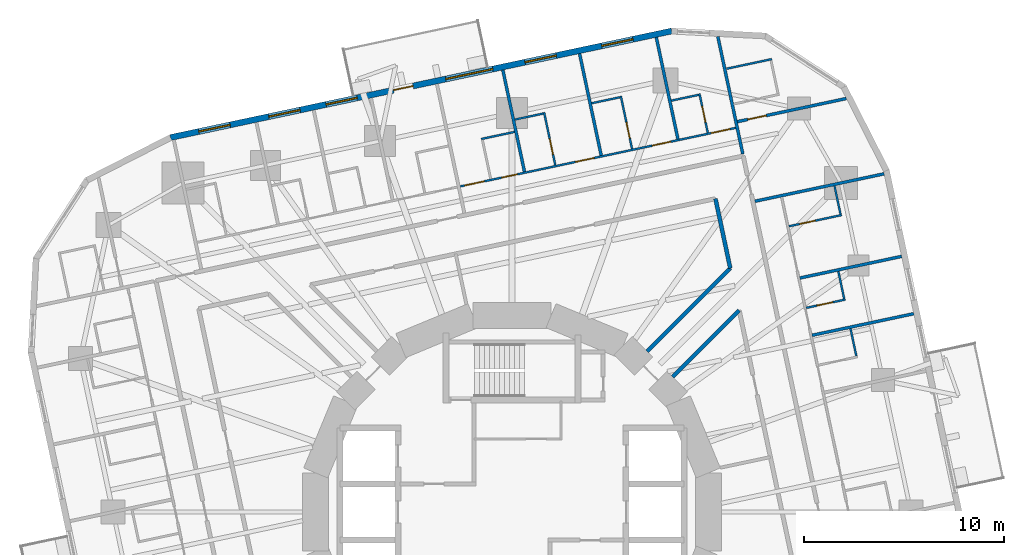
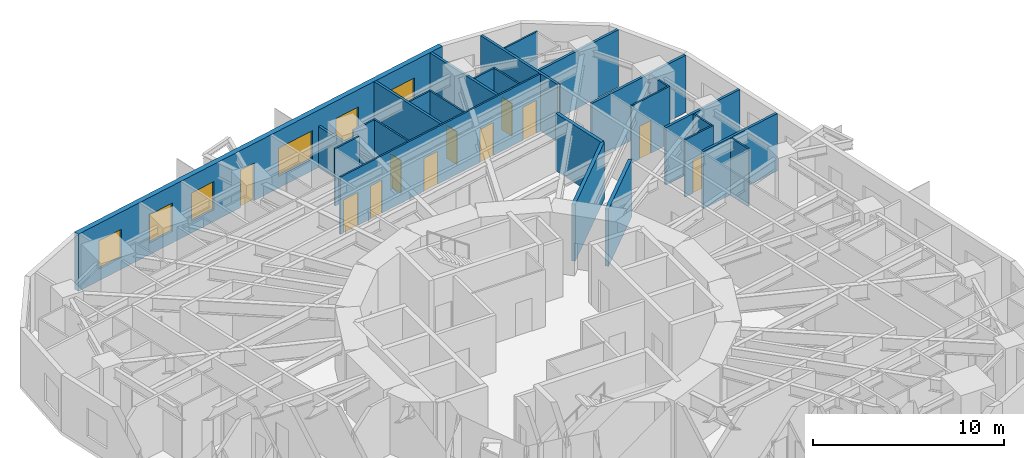
# One storey, part 11 of 14: 26 walls, 12 doors, 6 windows, 18 openings.
"""IFC4 building model written with IfcOpenShell, lengths in metres."""

from ifc_helpers import new_model, si_unit, direction, frame, frame_2d, origin, place, context, subcontext, project, spatial, rectangle, extrude, material, layer, layer_set, type_object, element, fill, save


model = new_model("IFC4")

# Units and contexts
model_context = context("Model", 3, precision=1e-05, world=origin(), true_north=direction((0.0, 1.0)))
body_context = subcontext(model_context, "Body", "Model", "MODEL_VIEW")
ifc_project = project(units=[si_unit("LENGTHUNIT", "METRE"), si_unit("AREAUNIT", "SQUARE_METRE"), si_unit("VOLUMEUNIT", "CUBIC_METRE"), si_unit("PLANEANGLEUNIT", "RADIAN"), si_unit("MASSUNIT", "GRAM", prefix="KILO")], contexts=[model_context])

# Site, building, storey
site_placement = place(None, origin())
site = spatial("IfcSite", under=ifc_project, at=site_placement, CompositionType="ELEMENT")
building_placement = place(site_placement, origin())
building = spatial("IfcBuilding", under=site, at=building_placement, Name="Nakasero Lantern House", CompositionType="ELEMENT")
storey_placement = place(building_placement, frame((0.0, 0.0, 112.699951171875)))
storey = spatial("IfcBuildingStorey", under=building, at=storey_placement, Name="L27", CompositionType="ELEMENT", Elevation=112.699951171875)

# Wall, openings, doors
ifc_material_1 = material(Name="Blockwork", Category="masonry")
ifc_layer_1 = layer(ifc_material_1, 0.10009765625)
ifc_layer_set_1 = layer_set([ifc_layer_1], Name="Cluster hall wall 100")
wall_type_1 = type_object("IfcWallType", Name="Cluster hall wall 100", PredefinedType="PARTITIONING", material=ifc_layer_set_1)
wall_1_placement = place(storey_placement, frame((11.1787109375, 19.193603515625, 0.0), z_axis=(0.0, 0.0, 1.0), x_axis=(-0.978149106543, -0.207904606415, 0.0)))
wall_1 = element("IfcWall", 1, at=wall_1_placement, inside=storey, type_object=wall_type_1, Name="Cluster hall wall L27 HW1-0", PredefinedType="PARTITIONING", context=body_context, shape_type="SweptSolid", body=[
    extrude(rectangle(XDim=14.073974609375, YDim=0.10009765625, at=frame_2d((7.037109375, 0.0))), origin(), (0.0, 0.0, 1.0), 3.650146484375),
])
opening_1_placement = place(wall_1_placement, frame((12.848876953125, 0.0, 0.0)))
opening_1 = element("IfcOpeningElement", 2, at=opening_1_placement, cuts=wall_1, Name="Opening D03", PredefinedType="OPENING", context=body_context, shape_type="SweptSolid", body=[
    extrude(rectangle(XDim=1.0, YDim=2.10009765625, at=frame_2d((0.5, 1.050048828125))), frame((0.0, 0.070068359375, 0.0), z_axis=(0.0, -1.0, 0.0), x_axis=(1.0, 0.0, 0.0)), (0.0, 0.0, 1.0), 0.14013671875),
])
opening_2_placement = place(wall_1_placement, frame((11.155029296875, 0.0, 0.0)))
opening_2 = element("IfcOpeningElement", 3, at=opening_2_placement, cuts=wall_1, Name="Opening D02", PredefinedType="OPENING", context=body_context, shape_type="SweptSolid", body=[
    extrude(rectangle(XDim=0.800048828125, YDim=2.10009765625, at=frame_2d((0.39990234375, 1.050048828125))), frame((0.0, 0.070068359375, 0.0), z_axis=(0.0, -1.0, 0.0), x_axis=(1.0, 0.0, 0.0)), (0.0, 0.0, 1.0), 0.14013671875),
])
opening_3_placement = place(wall_1_placement, frame((0.300048828125, 0.0, 0.0)))
opening_3 = element("IfcOpeningElement", 4, at=opening_3_placement, cuts=wall_1, Name="Opening D01", PredefinedType="OPENING", context=body_context, shape_type="SweptSolid", body=[
    extrude(rectangle(XDim=0.949951171875, YDim=2.10009765625, at=frame_2d((0.47509765625, 1.050048828125))), frame((0.0, 0.070068359375, 0.0), z_axis=(0.0, -1.0, 0.0), x_axis=(1.0, 0.0, 0.0)), (0.0, 0.0, 1.0), 0.14013671875),
])
opening_4_placement = place(wall_1_placement, frame((3.316162109375, 0.0, 0.0)))
opening_4 = element("IfcOpeningElement", 5, at=opening_4_placement, cuts=wall_1, Name="Opening D01", PredefinedType="OPENING", context=body_context, shape_type="SweptSolid", body=[
    extrude(rectangle(XDim=0.949951171875, YDim=2.10009765625, at=frame_2d((0.47509765625, 1.050048828125))), frame((0.0, 0.070068359375, 0.0), z_axis=(0.0, -1.0, 0.0), x_axis=(1.0, 0.0, 0.0)), (0.0, 0.0, 1.0), 0.14013671875),
])
opening_5_placement = place(wall_1_placement, frame((7.235595703125, 0.0, 0.0)))
opening_5 = element("IfcOpeningElement", 6, at=opening_5_placement, cuts=wall_1, Name="Opening D01", PredefinedType="OPENING", context=body_context, shape_type="SweptSolid", body=[
    extrude(rectangle(XDim=0.949951171875, YDim=2.10009765625, at=frame_2d((0.47509765625, 1.050048828125))), frame((0.0, 0.070068359375, 0.0), z_axis=(0.0, -1.0, 0.0), x_axis=(1.0, 0.0, 0.0)), (0.0, 0.0, 1.0), 0.14013671875),
])
ifc_material_2 = material(Name="Timber C24", Category="wood")
door_type_1 = type_object("IfcDoorType", Name="Bedroom door FD30S 950", OperationType="SINGLE_SWING_LEFT", PredefinedType="DOOR", material=ifc_material_2)
door_1_placement = place(opening_3_placement, origin())
door_1 = element("IfcDoor", 7, at=door_1_placement, inside=storey, type_object=door_type_1, Name="Door L27 D1-00", OperationType="SINGLE_SWING_LEFT", OverallHeight=2.10009765625, OverallWidth=0.949951171875, PredefinedType="DOOR", context=body_context, shape_type="SweptSolid", body=[
    extrude(rectangle(XDim=0.949951171875, YDim=2.10009765625, at=frame_2d((0.47509765625, 1.050048828125))), frame((0.0, 0.02490234375, 0.0), z_axis=(0.0, -1.0, 0.0), x_axis=(1.0, 0.0, 0.0)), (0.0, 0.0, 1.0), 0.050048828125),
])
fill(opening_3, door_1)
door_2_placement = place(opening_4_placement, origin())
door_2 = element("IfcDoor", 8, at=door_2_placement, inside=storey, type_object=door_type_1, Name="Door L27 D1-01", OperationType="SINGLE_SWING_LEFT", OverallHeight=2.10009765625, OverallWidth=0.949951171875, PredefinedType="DOOR", context=body_context, shape_type="SweptSolid", body=[
    extrude(rectangle(XDim=0.949951171875, YDim=2.10009765625, at=frame_2d((0.47509765625, 1.050048828125))), frame((0.0, 0.02490234375, 0.0), z_axis=(0.0, -1.0, 0.0), x_axis=(1.0, 0.0, 0.0)), (0.0, 0.0, 1.0), 0.050048828125),
])
fill(opening_4, door_2)
door_3_placement = place(opening_5_placement, origin())
door_3 = element("IfcDoor", 9, at=door_3_placement, inside=storey, type_object=door_type_1, Name="Door L27 D1-02", OperationType="SINGLE_SWING_RIGHT", OverallHeight=2.10009765625, OverallWidth=0.949951171875, PredefinedType="DOOR", context=body_context, shape_type="SweptSolid", body=[
    extrude(rectangle(XDim=0.949951171875, YDim=2.10009765625, at=frame_2d((0.47509765625, 1.050048828125))), frame((0.0, 0.02490234375, 0.0), z_axis=(0.0, -1.0, 0.0), x_axis=(1.0, 0.0, 0.0)), (0.0, 0.0, 1.0), 0.050048828125),
])
fill(opening_5, door_3)
ifc_material_3 = material(Name="Timber C24", Category="wood")
door_type_2 = type_object("IfcDoorType", Name="En-suite door 800", OperationType="SINGLE_SWING_RIGHT", PredefinedType="DOOR", material=ifc_material_3)
door_4_placement = place(opening_2_placement, origin())
door_4 = element("IfcDoor", 10, at=door_4_placement, inside=storey, type_object=door_type_2, Name="Door L27 DSH1-0", OperationType="SINGLE_SWING_RIGHT", OverallHeight=2.10009765625, OverallWidth=0.800048828125, PredefinedType="DOOR", context=body_context, shape_type="SweptSolid", body=[
    extrude(rectangle(XDim=0.800048828125, YDim=2.10009765625, at=frame_2d((0.39990234375, 1.050048828125))), frame((0.0, 0.02490234375, 0.0), z_axis=(0.0, -1.0, 0.0), x_axis=(1.0, 0.0, 0.0)), (0.0, 0.0, 1.0), 0.050048828125),
])
fill(opening_2, door_4)
ifc_material_4 = material(Name="Timber C24", Category="wood")
door_type_3 = type_object("IfcDoorType", Name="Lounge door FD30S 1000", OperationType="SINGLE_SWING_LEFT", PredefinedType="DOOR", material=ifc_material_4)
door_5_placement = place(opening_1_placement, origin())
door_5 = element("IfcDoor", 11, at=door_5_placement, inside=storey, type_object=door_type_3, Name="Door L27 DH1-0", OperationType="SINGLE_SWING_RIGHT", OverallHeight=2.10009765625, OverallWidth=1.0, PredefinedType="DOOR", context=body_context, shape_type="SweptSolid", body=[
    extrude(rectangle(XDim=1.0, YDim=2.10009765625, at=frame_2d((0.5, 1.050048828125))), frame((0.0, 0.02490234375, 0.0), z_axis=(0.0, -1.0, 0.0), x_axis=(1.0, 0.0, 0.0)), (0.0, 0.0, 1.0), 0.050048828125),
])
fill(opening_1, door_5)

# Walls
ifc_material_5 = material(Name="Blockwork", Category="masonry")
ifc_layer_2 = layer(ifc_material_5, 0.199951171875)
ifc_layer_set_2 = layer_set([ifc_layer_2], Name="Corridor wall 200")
wall_type_2 = type_object("IfcWallType", Name="Corridor wall 200", PredefinedType="PARTITIONING", material=ifc_layer_set_2)
wall_2_placement = place(storey_placement, frame((10.90625, 12.178955078125, 0.0), z_axis=(0.0, 0.0, 1.0), x_axis=(-0.207962251708, 0.978136852319, 0.0)))
element("IfcWall", 12, at=wall_2_placement, inside=storey, type_object=wall_type_2, Name="Corridor wall L27 IW0-1", PredefinedType="PARTITIONING", context=body_context, shape_type="SweptSolid", body=[
    extrude(rectangle(XDim=3.5546875, YDim=0.199951171875, at=frame_2d((1.77734375, 0.0))), origin(), (0.0, 0.0, 1.0), 3.650146484375),
])
wall_3_placement = place(storey_placement, frame((6.758544921875, 8.03125, 0.0), z_axis=(0.0, 0.0, 1.0), x_axis=(0.707106781187, 0.707106781187, 0.0)))
element("IfcWall", 13, at=wall_3_placement, inside=storey, type_object=wall_type_2, Name="Corridor wall L27 PS02a", PredefinedType="PARTITIONING", context=body_context, shape_type="SweptSolid", body=[
    extrude(rectangle(XDim=5.86572265625, YDim=0.199951171875, at=frame_2d((2.932861328125, 0.0))), origin(), (0.0, 0.0, 1.0), 3.650146484375),
])
wall_4_placement = place(storey_placement, frame((8.03125, 6.758544921875, 0.0), z_axis=(0.0, 0.0, 1.0), x_axis=(0.707106781187, 0.707106781187, 0.0)))
element("IfcWall", 14, at=wall_4_placement, inside=storey, type_object=wall_type_2, Name="Corridor wall L27 PS02b", PredefinedType="PARTITIONING", context=body_context, shape_type="SweptSolid", body=[
    extrude(rectangle(XDim=4.69677734375, YDim=0.199951171875, at=frame_2d((2.348388671875, 0.0))), origin(), (0.0, 0.0, 1.0), 3.650146484375),
])
ifc_material_6 = material(Name="Blockwork", Category="masonry")
ifc_layer_3 = layer(ifc_material_6, 0.10009765625)
ifc_layer_set_3 = layer_set([ifc_layer_3], Name="En-suite wall 100")
wall_type_3 = type_object("IfcWallType", Name="En-suite wall 100", PredefinedType="PARTITIONING", material=ifc_layer_set_3)
wall_5_placement = place(storey_placement, frame((17.2060546875, 7.79150390625, 0.0), z_axis=(0.0, 0.0, 1.0), x_axis=(-0.207873355681, 0.978155748334, 0.0)))
element("IfcWall", 15, at=wall_5_placement, inside=storey, type_object=wall_type_3, Name="En-suite wall L27 EE0-05", PredefinedType="PARTITIONING", context=body_context, shape_type="SweptSolid", body=[
    extrude(rectangle(XDim=1.39990234375, YDim=0.10009765625, at=frame_2d((0.699951171875, 0.0))), origin(), (0.0, 0.0, 1.0), 3.650146484375),
])

# Wall, opening, door
wall_6_placement = place(storey_placement, frame((14.70068359375, 10.19970703125, 0.0), z_axis=(0.0, 0.0, 1.0), x_axis=(0.978152955943, 0.207886494942, 0.0)))
wall_6 = element("IfcWall", 16, at=wall_6_placement, inside=storey, type_object=wall_type_3, Name="En-suite wall L27 ES0-06", PredefinedType="PARTITIONING", context=body_context, shape_type="SweptSolid", body=[
    extrude(rectangle(XDim=2.0, YDim=0.10009765625, at=frame_2d((1.0, 0.0))), origin(), (0.0, 0.0, 1.0), 3.650146484375),
])
opening_6_placement = place(wall_6_placement, frame((0.550048828125, 0.0, 0.0)))
opening_6 = element("IfcOpeningElement", 17, at=opening_6_placement, cuts=wall_6, Name="Opening D02", PredefinedType="OPENING", context=body_context, shape_type="SweptSolid", body=[
    extrude(rectangle(XDim=0.800048828125, YDim=2.10009765625, at=frame_2d((0.39990234375, 1.050048828125))), frame((0.0, 0.070068359375, 0.0), z_axis=(0.0, -1.0, 0.0), x_axis=(1.0, 0.0, 0.0)), (0.0, 0.0, 1.0), 0.14013671875),
])
door_6_placement = place(opening_6_placement, origin())
door_6 = element("IfcDoor", 18, at=door_6_placement, inside=storey, type_object=door_type_2, Name="Door L27 DE0-06", OperationType="SINGLE_SWING_LEFT", OverallHeight=2.10009765625, OverallWidth=0.800048828125, PredefinedType="DOOR", context=body_context, shape_type="SweptSolid", body=[
    extrude(rectangle(XDim=0.800048828125, YDim=2.10009765625, at=frame_2d((0.39990234375, 1.050048828125))), frame((0.0, 0.02490234375, 0.0), z_axis=(0.0, -1.0, 0.0), x_axis=(1.0, 0.0, 0.0)), (0.0, 0.0, 1.0), 0.050048828125),
])
fill(opening_6, door_6)

# Wall
wall_7_placement = place(storey_placement, frame((16.59765625, 10.654052734375, 0.0), z_axis=(0.0, 0.0, 1.0), x_axis=(-0.207873355681, 0.978155748334, 0.0)))
element("IfcWall", 19, at=wall_7_placement, inside=storey, type_object=wall_type_3, Name="En-suite wall L27 EE0-06", PredefinedType="PARTITIONING", context=body_context, shape_type="SweptSolid", body=[
    extrude(rectangle(XDim=1.39990234375, YDim=0.10009765625, at=frame_2d((0.699951171875, 0.0))), origin(), (0.0, 0.0, 1.0), 3.650146484375),
])

# Wall, opening, door
wall_8_placement = place(storey_placement, frame((13.833984375, 14.276611328125, 0.0), z_axis=(0.0, 0.0, 1.0), x_axis=(0.978137244908, 0.207960405185, 0.0)))
wall_8 = element("IfcWall", 20, at=wall_8_placement, inside=storey, type_object=wall_type_3, Name="En-suite wall L27 ES0-07", PredefinedType="PARTITIONING", context=body_context, shape_type="SweptSolid", body=[
    extrude(rectangle(XDim=2.7001953125, YDim=0.10009765625, at=frame_2d((1.35009765625, 0.0))), origin(), (0.0, 0.0, 1.0), 3.650146484375),
])
opening_7_placement = place(wall_8_placement, frame((0.550048828125, 0.0, 0.0)))
opening_7 = element("IfcOpeningElement", 21, at=opening_7_placement, cuts=wall_8, Name="Opening D02", PredefinedType="OPENING", context=body_context, shape_type="SweptSolid", body=[
    extrude(rectangle(XDim=0.800048828125, YDim=2.10009765625, at=frame_2d((0.39990234375, 1.050048828125))), frame((0.0, 0.070068359375, 0.0), z_axis=(0.0, -1.0, 0.0), x_axis=(1.0, 0.0, 0.0)), (0.0, 0.0, 1.0), 0.14013671875),
])
door_7_placement = place(opening_7_placement, origin())
door_7 = element("IfcDoor", 22, at=door_7_placement, inside=storey, type_object=door_type_2, Name="Door L27 DE0-07", OperationType="SINGLE_SWING_LEFT", OverallHeight=2.10009765625, OverallWidth=0.800048828125, PredefinedType="DOOR", context=body_context, shape_type="SweptSolid", body=[
    extrude(rectangle(XDim=0.800048828125, YDim=2.10009765625, at=frame_2d((0.39990234375, 1.050048828125))), frame((0.0, 0.02490234375, 0.0), z_axis=(0.0, -1.0, 0.0), x_axis=(1.0, 0.0, 0.0)), (0.0, 0.0, 1.0), 0.050048828125),
])
fill(opening_7, door_7)

# Walls
wall_9_placement = place(storey_placement, frame((16.415771484375, 14.87646484375, 0.0), z_axis=(0.0, 0.0, 1.0), x_axis=(-0.207919161079, 0.978146012851, 0.0)))
element("IfcWall", 23, at=wall_9_placement, inside=storey, type_object=wall_type_3, Name="En-suite wall L27 EE0-07", PredefinedType="PARTITIONING", context=body_context, shape_type="SweptSolid", body=[
    extrude(rectangle(XDim=1.4501953125, YDim=0.10009765625, at=frame_2d((0.72509765625, 0.0))), origin(), (0.0, 0.0, 1.0), 3.650146484375),
])
wall_10_placement = place(storey_placement, frame((10.72900390625, 22.150634765625, 0.0), z_axis=(0.0, 0.0, 1.0), x_axis=(0.978162897375, 0.207839712757, 0.0)))
element("IfcWall", 24, at=wall_10_placement, inside=storey, type_object=wall_type_3, Name="En-suite wall L27 EV0-08", PredefinedType="PARTITIONING", context=body_context, shape_type="SweptSolid", body=[
    extrude(rectangle(XDim=2.300048828125, YDim=0.10009765625, at=frame_2d((1.14990234375, 0.0))), origin(), (0.0, 0.0, 1.0), 3.650146484375),
])
wall_11_placement = place(storey_placement, frame((0.124267578125, 18.99072265625, 0.0), z_axis=(0.0, 0.0, 1.0), x_axis=(-0.978168704767, -0.207812379357, 0.0)))
element("IfcWall", 25, at=wall_11_placement, inside=storey, type_object=wall_type_3, Name="En-suite wall L27 SE1-0", PredefinedType="PARTITIONING", context=body_context, shape_type="SweptSolid", body=[
    extrude(rectangle(XDim=1.699951171875, YDim=0.10009765625, at=frame_2d((0.85009765625, 0.0))), origin(), (0.0, 0.0, 1.0), 3.650146484375),
])

# Wall, opening, door
wall_12_placement = place(storey_placement, frame((9.783203125, 18.947998046875, 0.0), z_axis=(0.0, 0.0, 1.0), x_axis=(-0.208003285743, 0.978128127149, 0.0)))
wall_12 = element("IfcWall", 26, at=wall_12_placement, inside=storey, type_object=wall_type_3, Name="En-suite wall L27 ES1-00", PredefinedType="PARTITIONING", context=body_context, shape_type="SweptSolid", body=[
    extrude(rectangle(XDim=2.0, YDim=0.10009765625, at=frame_2d((1.0, 0.0))), origin(), (0.0, 0.0, 1.0), 3.650146484375),
])
opening_8_placement = place(wall_12_placement, frame((0.550048828125, 0.0, 0.0)))
opening_8 = element("IfcOpeningElement", 27, at=opening_8_placement, cuts=wall_12, Name="Opening D02", PredefinedType="OPENING", context=body_context, shape_type="SweptSolid", body=[
    extrude(rectangle(XDim=0.800048828125, YDim=2.10009765625, at=frame_2d((0.39990234375, 1.050048828125))), frame((0.0, 0.070068359375, 0.0), z_axis=(0.0, -1.0, 0.0), x_axis=(1.0, 0.0, 0.0)), (0.0, 0.0, 1.0), 0.14013671875),
])
door_8_placement = place(opening_8_placement, origin())
door_8 = element("IfcDoor", 28, at=door_8_placement, inside=storey, type_object=door_type_2, Name="Door L27 DE1-00", OperationType="SINGLE_SWING_LEFT", OverallHeight=2.10009765625, OverallWidth=0.800048828125, PredefinedType="DOOR", context=body_context, shape_type="SweptSolid", body=[
    extrude(rectangle(XDim=0.800048828125, YDim=2.10009765625, at=frame_2d((0.39990234375, 1.050048828125))), frame((0.0, 0.02490234375, 0.0), z_axis=(0.0, -1.0, 0.0), x_axis=(1.0, 0.0, 0.0)), (0.0, 0.0, 1.0), 0.050048828125),
])
fill(opening_8, door_8)

# Wall
wall_13_placement = place(storey_placement, frame((9.328857421875, 20.844970703125, 0.0), z_axis=(0.0, 0.0, 1.0), x_axis=(-0.978155748334, -0.207873355681, 0.0)))
element("IfcWall", 29, at=wall_13_placement, inside=storey, type_object=wall_type_3, Name="En-suite wall L27 EE1-00", PredefinedType="PARTITIONING", context=body_context, shape_type="SweptSolid", body=[
    extrude(rectangle(XDim=1.39990234375, YDim=0.10009765625, at=frame_2d((0.699951171875, 0.0))), origin(), (0.0, 0.0, 1.0), 3.650146484375),
])

# Wall, opening, door
wall_14_placement = place(storey_placement, frame((5.998291015625, 18.1435546875, 0.0), z_axis=(0.0, 0.0, 1.0), x_axis=(-0.207960405185, 0.978137244908, 0.0)))
wall_14 = element("IfcWall", 30, at=wall_14_placement, inside=storey, type_object=wall_type_3, Name="En-suite wall L27 ES1-01", PredefinedType="PARTITIONING", context=body_context, shape_type="SweptSolid", body=[
    extrude(rectangle(XDim=2.7001953125, YDim=0.10009765625, at=frame_2d((1.35009765625, 0.0))), origin(), (0.0, 0.0, 1.0), 3.650146484375),
])
opening_9_placement = place(wall_14_placement, frame((0.550048828125, 0.0, 0.0)))
opening_9 = element("IfcOpeningElement", 31, at=opening_9_placement, cuts=wall_14, Name="Opening D02", PredefinedType="OPENING", context=body_context, shape_type="SweptSolid", body=[
    extrude(rectangle(XDim=0.800048828125, YDim=2.10009765625, at=frame_2d((0.39990234375, 1.050048828125))), frame((0.0, 0.070068359375, 0.0), z_axis=(0.0, -1.0, 0.0), x_axis=(1.0, 0.0, 0.0)), (0.0, 0.0, 1.0), 0.14013671875),
])
door_9_placement = place(opening_9_placement, origin())
door_9 = element("IfcDoor", 32, at=door_9_placement, inside=storey, type_object=door_type_2, Name="Door L27 DE1-01", OperationType="SINGLE_SWING_LEFT", OverallHeight=2.10009765625, OverallWidth=0.800048828125, PredefinedType="DOOR", context=body_context, shape_type="SweptSolid", body=[
    extrude(rectangle(XDim=0.800048828125, YDim=2.10009765625, at=frame_2d((0.39990234375, 1.050048828125))), frame((0.0, 0.02490234375, 0.0), z_axis=(0.0, -1.0, 0.0), x_axis=(1.0, 0.0, 0.0)), (0.0, 0.0, 1.0), 0.050048828125),
])
fill(opening_9, door_9)

# Wall
wall_15_placement = place(storey_placement, frame((5.398193359375, 20.725341796875, 0.0), z_axis=(0.0, 0.0, 1.0), x_axis=(-0.978138732977, -0.207953405961, 0.0)))
element("IfcWall", 33, at=wall_15_placement, inside=storey, type_object=wall_type_3, Name="En-suite wall L27 EE1-01", PredefinedType="PARTITIONING", context=body_context, shape_type="SweptSolid", body=[
    extrude(rectangle(XDim=1.449951171875, YDim=0.10009765625, at=frame_2d((0.72509765625, 0.0))), origin(), (0.0, 0.0, 1.0), 3.650146484375),
])

# Wall, opening, door
wall_16_placement = place(storey_placement, frame((2.164306640625, 17.32861328125, 0.0), z_axis=(0.0, 0.0, 1.0), x_axis=(-0.207873895514, 0.97815563361, 0.0)))
wall_16 = element("IfcWall", 34, at=wall_16_placement, inside=storey, type_object=wall_type_3, Name="En-suite wall L27 ES1-02", PredefinedType="PARTITIONING", context=body_context, shape_type="SweptSolid", body=[
    extrude(rectangle(XDim=2.7001953125, YDim=0.10009765625, at=frame_2d((1.35009765625, 0.0))), origin(), (0.0, 0.0, 1.0), 3.650146484375),
])
opening_10_placement = place(wall_16_placement, frame((0.550048828125, 0.0, 0.0)))
opening_10 = element("IfcOpeningElement", 35, at=opening_10_placement, cuts=wall_16, Name="Opening D02", PredefinedType="OPENING", context=body_context, shape_type="SweptSolid", body=[
    extrude(rectangle(XDim=0.800048828125, YDim=2.10009765625, at=frame_2d((0.39990234375, 1.050048828125))), frame((0.0, 0.070068359375, 0.0), z_axis=(0.0, -1.0, 0.0), x_axis=(1.0, 0.0, 0.0)), (0.0, 0.0, 1.0), 0.14013671875),
])
door_10_placement = place(opening_10_placement, origin())
door_10 = element("IfcDoor", 36, at=door_10_placement, inside=storey, type_object=door_type_2, Name="Door L27 DE1-02", OperationType="SINGLE_SWING_LEFT", OverallHeight=2.10009765625, OverallWidth=0.800048828125, PredefinedType="DOOR", context=body_context, shape_type="SweptSolid", body=[
    extrude(rectangle(XDim=0.800048828125, YDim=2.10009765625, at=frame_2d((0.39990234375, 1.050048828125))), frame((0.0, 0.02490234375, 0.0), z_axis=(0.0, -1.0, 0.0), x_axis=(1.0, 0.0, 0.0)), (0.0, 0.0, 1.0), 0.050048828125),
])
fill(opening_10, door_10)

# Wall
wall_17_placement = place(storey_placement, frame((1.564453125, 19.910400390625, 0.0), z_axis=(0.0, 0.0, 1.0), x_axis=(-0.978138732977, -0.207953405961, 0.0)))
element("IfcWall", 37, at=wall_17_placement, inside=storey, type_object=wall_type_3, Name="En-suite wall L27 EE1-02", PredefinedType="PARTITIONING", context=body_context, shape_type="SweptSolid", body=[
    extrude(rectangle(XDim=1.449951171875, YDim=0.10009765625, at=frame_2d((0.72509765625, 0.0))), origin(), (0.0, 0.0, 1.0), 3.650146484375),
])

# Wall, openings, door, windows
ifc_material_7 = material(Name="Aluminium rainscreen on blockwork", Category="masonry")
ifc_layer_4 = layer(ifc_material_7, 0.300048828125)
ifc_layer_set_4 = layer_set([ifc_layer_4], Name="Facade wall 300")
wall_type_4 = type_object("IfcWallType", Name="Facade wall 300", PredefinedType="SOLIDWALL", material=ifc_layer_set_4)
wall_18_placement = place(storey_placement, frame((7.9775390625, 24.03369140625, 0.0), z_axis=(0.0, 0.0, 1.0), x_axis=(-0.978148160964, -0.207909055127, 0.0)))
wall_18 = element("IfcWall", 38, at=wall_18_placement, inside=storey, type_object=wall_type_4, Name="Facade wall L27 FW1S", PredefinedType="SOLIDWALL", context=body_context, shape_type="SweptSolid", body=[
    extrude(rectangle(XDim=25.60009765625, YDim=0.300048828125, at=frame_2d((12.800048828125, 0.0))), origin(), (0.0, 0.0, 1.0), 3.650146484375),
])
opening_11_placement = place(wall_18_placement, frame((1.975830078125, 0.0, 0.75)))
opening_11 = element("IfcOpeningElement", 39, at=opening_11_placement, cuts=wall_18, Name="Opening W01", PredefinedType="OPENING", context=body_context, shape_type="SweptSolid", body=[
    extrude(rectangle(XDim=1.60009765625, YDim=1.800048828125, at=frame_2d((0.800048828125, 0.89990234375))), frame((0.0, 0.169921875, 0.0), z_axis=(0.0, -1.0, 0.0), x_axis=(1.0, 0.0, 0.0)), (0.0, 0.0, 1.0), 0.340087890625),
])
opening_12_placement = place(wall_18_placement, frame((5.8955078125, 0.0, 0.75)))
opening_12 = element("IfcOpeningElement", 40, at=opening_12_placement, cuts=wall_18, Name="Opening W01", PredefinedType="OPENING", context=body_context, shape_type="SweptSolid", body=[
    extrude(rectangle(XDim=1.60009765625, YDim=1.800048828125, at=frame_2d((0.800048828125, 0.89990234375))), frame((0.0, 0.169921875, 0.0), z_axis=(0.0, -1.0, 0.0), x_axis=(1.0, 0.0, 0.0)), (0.0, 0.0, 1.0), 0.340087890625),
])
opening_13_placement = place(wall_18_placement, frame((16.0556640625, 0.0, 0.75)))
opening_13 = element("IfcOpeningElement", 41, at=opening_13_placement, cuts=wall_18, Name="Opening W01", PredefinedType="OPENING", context=body_context, shape_type="SweptSolid", body=[
    extrude(rectangle(XDim=1.60009765625, YDim=1.800048828125, at=frame_2d((0.800048828125, 0.89990234375))), frame((0.0, 0.169921875, 0.0), z_axis=(0.0, -1.0, 0.0), x_axis=(1.0, 0.0, 0.0)), (0.0, 0.0, 1.0), 0.340087890625),
])
opening_14_placement = place(wall_18_placement, frame((18.982177734375, 0.0, 0.75)))
opening_14 = element("IfcOpeningElement", 42, at=opening_14_placement, cuts=wall_18, Name="Opening W01", PredefinedType="OPENING", context=body_context, shape_type="SweptSolid", body=[
    extrude(rectangle(XDim=1.60009765625, YDim=1.800048828125, at=frame_2d((0.800048828125, 0.89990234375))), frame((0.0, 0.169921875, 0.0), z_axis=(0.0, -1.0, 0.0), x_axis=(1.0, 0.0, 0.0)), (0.0, 0.0, 1.0), 0.340087890625),
])
opening_15_placement = place(wall_18_placement, frame((22.554443359375, 0.0, 0.75)))
opening_15 = element("IfcOpeningElement", 43, at=opening_15_placement, cuts=wall_18, Name="Opening W01", PredefinedType="OPENING", context=body_context, shape_type="SweptSolid", body=[
    extrude(rectangle(XDim=1.60009765625, YDim=1.800048828125, at=frame_2d((0.800048828125, 0.89990234375))), frame((0.0, 0.169921875, 0.0), z_axis=(0.0, -1.0, 0.0), x_axis=(1.0, 0.0, 0.0)), (0.0, 0.0, 1.0), 0.340087890625),
])
opening_16_placement = place(wall_18_placement, frame((9.139404296875, 0.0, 0.75)))
opening_16 = element("IfcOpeningElement", 44, at=opening_16_placement, cuts=wall_18, Name="Opening W03", PredefinedType="OPENING", context=body_context, shape_type="SweptSolid", body=[
    extrude(rectangle(XDim=2.39990234375, YDim=1.800048828125, at=frame_2d((1.199951171875, 0.89990234375))), frame((0.0, 0.169921875, 0.0), z_axis=(0.0, -1.0, 0.0), x_axis=(1.0, 0.0, 0.0)), (0.0, 0.0, 1.0), 0.340087890625),
])
opening_17_placement = place(wall_18_placement, frame((13.208251953125, 0.0, 0.0)))
opening_17 = element("IfcOpeningElement", 45, at=opening_17_placement, cuts=wall_18, Name="Opening D04", PredefinedType="OPENING", context=body_context, shape_type="SweptSolid", body=[
    extrude(rectangle(XDim=1.0, YDim=2.39990234375, at=frame_2d((0.5, 1.199951171875))), frame((0.0, 0.169921875, 0.0), z_axis=(0.0, -1.0, 0.0), x_axis=(1.0, 0.0, 0.0)), (0.0, 0.0, 1.0), 0.340087890625),
])
ifc_material_8 = material(Name="Aluminium 6063-T6 and glass", Category="aluminium")
door_type_4 = type_object("IfcDoorType", Name="Balcony door 1000x2400", OperationType="SINGLE_SWING_RIGHT", PredefinedType="DOOR", material=ifc_material_8)
door_11_placement = place(opening_17_placement, origin())
door_11 = element("IfcDoor", 46, at=door_11_placement, inside=storey, type_object=door_type_4, Name="Balcony door L27 DB1", OperationType="SINGLE_SWING_RIGHT", OverallHeight=2.39990234375, OverallWidth=1.0, PredefinedType="DOOR", context=body_context, shape_type="SweptSolid", body=[
    extrude(rectangle(XDim=1.0, YDim=2.39990234375, at=frame_2d((0.5, 1.199951171875))), frame((0.0, 0.02490234375, 0.0), z_axis=(0.0, -1.0, 0.0), x_axis=(1.0, 0.0, 0.0)), (0.0, 0.0, 1.0), 0.050048828125),
])
fill(opening_17, door_11)
ifc_material_9 = material(Name="Aluminium 6063-T6 and glass", Category="aluminium")
window_type_1 = type_object("IfcWindowType", Name="Bedroom window 1600x1800", PartitioningType="SINGLE_PANEL", PredefinedType="WINDOW", material=ifc_material_9)
window_1_placement = place(opening_11_placement, origin())
window_1 = element("IfcWindow", 47, at=window_1_placement, inside=storey, type_object=window_type_1, Name="Window L27 WN1-01", OverallHeight=1.800048828125, OverallWidth=1.60009765625, PartitioningType="SINGLE_PANEL", PredefinedType="WINDOW", context=body_context, shape_type="SweptSolid", body=[
    extrude(rectangle(XDim=1.60009765625, YDim=1.800048828125, at=frame_2d((0.800048828125, 0.89990234375))), frame((0.0, 0.030029296875, 0.0), z_axis=(0.0, -1.0, 0.0), x_axis=(1.0, 0.0, 0.0)), (0.0, 0.0, 1.0), 0.06005859375),
])
fill(opening_11, window_1)
window_2_placement = place(opening_12_placement, origin())
window_2 = element("IfcWindow", 48, at=window_2_placement, inside=storey, type_object=window_type_1, Name="Window L27 WN1-02", OverallHeight=1.800048828125, OverallWidth=1.60009765625, PartitioningType="SINGLE_PANEL", PredefinedType="WINDOW", context=body_context, shape_type="SweptSolid", body=[
    extrude(rectangle(XDim=1.60009765625, YDim=1.800048828125, at=frame_2d((0.800048828125, 0.89990234375))), frame((0.0, 0.030029296875, 0.0), z_axis=(0.0, -1.0, 0.0), x_axis=(1.0, 0.0, 0.0)), (0.0, 0.0, 1.0), 0.06005859375),
])
fill(opening_12, window_2)
window_3_placement = place(opening_13_placement, origin())
window_3 = element("IfcWindow", 49, at=window_3_placement, inside=storey, type_object=window_type_1, Name="Window L27 WN1-05", OverallHeight=1.800048828125, OverallWidth=1.60009765625, PartitioningType="SINGLE_PANEL", PredefinedType="WINDOW", context=body_context, shape_type="SweptSolid", body=[
    extrude(rectangle(XDim=1.60009765625, YDim=1.800048828125, at=frame_2d((0.800048828125, 0.89990234375))), frame((0.0, 0.030029296875, 0.0), z_axis=(0.0, -1.0, 0.0), x_axis=(1.0, 0.0, 0.0)), (0.0, 0.0, 1.0), 0.06005859375),
])
fill(opening_13, window_3)
window_4_placement = place(opening_14_placement, origin())
window_4 = element("IfcWindow", 50, at=window_4_placement, inside=storey, type_object=window_type_1, Name="Window L27 WN1-06", OverallHeight=1.800048828125, OverallWidth=1.60009765625, PartitioningType="SINGLE_PANEL", PredefinedType="WINDOW", context=body_context, shape_type="SweptSolid", body=[
    extrude(rectangle(XDim=1.60009765625, YDim=1.800048828125, at=frame_2d((0.800048828125, 0.89990234375))), frame((0.0, 0.030029296875, 0.0), z_axis=(0.0, -1.0, 0.0), x_axis=(1.0, 0.0, 0.0)), (0.0, 0.0, 1.0), 0.06005859375),
])
fill(opening_14, window_4)
window_5_placement = place(opening_15_placement, origin())
window_5 = element("IfcWindow", 51, at=window_5_placement, inside=storey, type_object=window_type_1, Name="Window L27 WN1-07", OverallHeight=1.800048828125, OverallWidth=1.60009765625, PartitioningType="SINGLE_PANEL", PredefinedType="WINDOW", context=body_context, shape_type="SweptSolid", body=[
    extrude(rectangle(XDim=1.60009765625, YDim=1.800048828125, at=frame_2d((0.800048828125, 0.89990234375))), frame((0.0, 0.030029296875, 0.0), z_axis=(0.0, -1.0, 0.0), x_axis=(1.0, 0.0, 0.0)), (0.0, 0.0, 1.0), 0.06005859375),
])
fill(opening_15, window_5)
ifc_material_10 = material(Name="Aluminium 6063-T6 and glass", Category="aluminium")
window_type_2 = type_object("IfcWindowType", Name="Lounge window 2400x1800", PartitioningType="SINGLE_PANEL", PredefinedType="WINDOW", material=ifc_material_10)
window_6_placement = place(opening_16_placement, origin())
window_6 = element("IfcWindow", 52, at=window_6_placement, inside=storey, type_object=window_type_2, Name="Window L27 WK1", OverallHeight=1.800048828125, OverallWidth=2.39990234375, PartitioningType="SINGLE_PANEL", PredefinedType="WINDOW", context=body_context, shape_type="SweptSolid", body=[
    extrude(rectangle(XDim=2.39990234375, YDim=1.800048828125, at=frame_2d((1.199951171875, 0.89990234375))), frame((0.0, 0.030029296875, 0.0), z_axis=(0.0, -1.0, 0.0), x_axis=(1.0, 0.0, 0.0)), (0.0, 0.0, 1.0), 0.06005859375),
])
fill(opening_16, window_6)

# Walls
ifc_material_11 = material(Name="Blockwork", Category="masonry")
ifc_layer_5 = layer(ifc_material_11, 0.14990234375)
ifc_layer_set_5 = layer_set([ifc_layer_5], Name="Party wall 150")
wall_type_5 = type_object("IfcWallType", Name="Party wall 150", PredefinedType="PARTITIONING", material=ifc_layer_set_5)
for number, where, z_axis, x_axis, name in (
    (53, (14.991943359375, 8.828857421875, 0.0), (0.0, 0.0, 1.0), (0.978151452323, 0.207893569688, 0.0), "Party wall L27 PW0-06"),
    (54, (14.383544921875, 11.69140625, 0.0), (0.0, 0.0, 1.0), (0.978151452323, 0.207893569688, 0.0), "Party wall L27 PW0-07"),
):
    element("IfcWall", number, at=place(storey_placement, frame(where, z_axis=z_axis, x_axis=x_axis)), inside=storey, type_object=wall_type_5, Name=name, PredefinedType="PARTITIONING", context=body_context, shape_type="SweptSolid", body=[
        extrude(rectangle(XDim=5.199951171875, YDim=0.14990234375, at=frame_2d((2.60009765625, 0.0))), origin(), (0.0, 0.0, 1.0), 3.650146484375),
    ])
wall_19_placement = place(storey_placement, frame((12.13720703125, 15.526123046875, 0.0), z_axis=(0.0, 0.0, 1.0), x_axis=(0.978144841009, 0.207924673876, 0.0)))
element("IfcWall", 55, at=wall_19_placement, inside=storey, type_object=wall_type_5, Name="Party wall L27 PW0-08", PredefinedType="PARTITIONING", context=body_context, shape_type="SweptSolid", body=[
    extrude(rectangle(XDim=6.60009765625, YDim=0.14990234375, at=frame_2d((3.300048828125, 0.0))), origin(), (0.0, 0.0, 1.0), 3.650146484375),
])

# Wall, opening, door
wall_20_placement = place(storey_placement, frame((11.256103515625, 19.502197265625, 0.0), z_axis=(0.0, 0.0, 1.0), x_axis=(0.978142361087, 0.207936339891, 0.0)))
wall_20 = element("IfcWall", 56, at=wall_20_placement, inside=storey, type_object=wall_type_5, Name="Party wall L27 PC0", PredefinedType="PARTITIONING", context=body_context, shape_type="SweptSolid", body=[
    extrude(rectangle(XDim=5.570068359375, YDim=0.14990234375, at=frame_2d((2.78515625, 0.0))), origin(), (0.0, 0.0, 1.0), 3.650146484375),
])
opening_18_placement = place(wall_20_placement, frame((0.534912109375, 0.0, 0.0)))
opening_18 = element("IfcOpeningElement", 57, at=opening_18_placement, cuts=wall_20, Name="Opening D01", PredefinedType="OPENING", context=body_context, shape_type="SweptSolid", body=[
    extrude(rectangle(XDim=0.949951171875, YDim=2.10009765625, at=frame_2d((0.47509765625, 1.050048828125))), frame((0.0, 0.094970703125, 0.0), z_axis=(0.0, -1.0, 0.0), x_axis=(1.0, 0.0, 0.0)), (0.0, 0.0, 1.0), 0.18994140625),
])
door_12_placement = place(opening_18_placement, origin())
door_12 = element("IfcDoor", 58, at=door_12_placement, inside=storey, type_object=door_type_1, Name="Door L27 DC0", OperationType="SINGLE_SWING_LEFT", OverallHeight=2.10009765625, OverallWidth=0.949951171875, PredefinedType="DOOR", context=body_context, shape_type="SweptSolid", body=[
    extrude(rectangle(XDim=0.949951171875, YDim=2.10009765625, at=frame_2d((0.47509765625, 1.050048828125))), frame((0.0, 0.02490234375, 0.0), z_axis=(0.0, -1.0, 0.0), x_axis=(1.0, 0.0, 0.0)), (0.0, 0.0, 1.0), 0.050048828125),
])
fill(opening_18, door_12)

# Walls
wall_21_placement = place(storey_placement, frame((11.53271484375, 17.888671875, 0.0), z_axis=(0.0, 0.0, 1.0), x_axis=(-0.207886494942, 0.978152955943, 0.0)))
element("IfcWall", 59, at=wall_21_placement, inside=storey, type_object=wall_type_5, Name="Party wall L27 PW1-00", PredefinedType="PARTITIONING", context=body_context, shape_type="SweptSolid", body=[
    extrude(rectangle(XDim=6.0, YDim=0.14990234375, at=frame_2d((3.0, 0.0))), origin(), (0.0, 0.0, 1.0), 3.650146484375),
])
for number, where, z_axis, x_axis, name in (
    (60, (8.29150390625, 18.631103515625, 0.0), (0.0, 0.0, 1.0), (-0.207948039247, 0.978139873931, 0.0), "Party wall L27 PW1-01"),
    (61, (4.45751953125, 17.816162109375, 0.0), (0.0, 0.0, 1.0), (-0.207893569688, 0.978151452323, 0.0), "Party wall L27 PW1-02"),
):
    element("IfcWall", number, at=place(storey_placement, frame(where, z_axis=z_axis, x_axis=x_axis)), inside=storey, type_object=wall_type_5, Name=name, PredefinedType="PARTITIONING", context=body_context, shape_type="SweptSolid", body=[
        extrude(rectangle(XDim=5.199951171875, YDim=0.14990234375, at=frame_2d((2.60009765625, 0.0))), origin(), (0.0, 0.0, 1.0), 3.650146484375),
    ])
wall_22_placement = place(storey_placement, frame((0.623779296875, 17.001220703125, 0.0), z_axis=(0.0, 0.0, 1.0), x_axis=(-0.207938489641, 0.978141904084, 0.0)))
element("IfcWall", 62, at=wall_22_placement, inside=storey, type_object=wall_type_5, Name="Party wall L27 PW1-03", PredefinedType="PARTITIONING", context=body_context, shape_type="SweptSolid", body=[
    extrude(rectangle(XDim=5.2001953125, YDim=0.14990234375, at=frame_2d((2.60009765625, 0.0))), origin(), (0.0, 0.0, 1.0), 2.6240234375),
])

save(model, "model.ifc")
